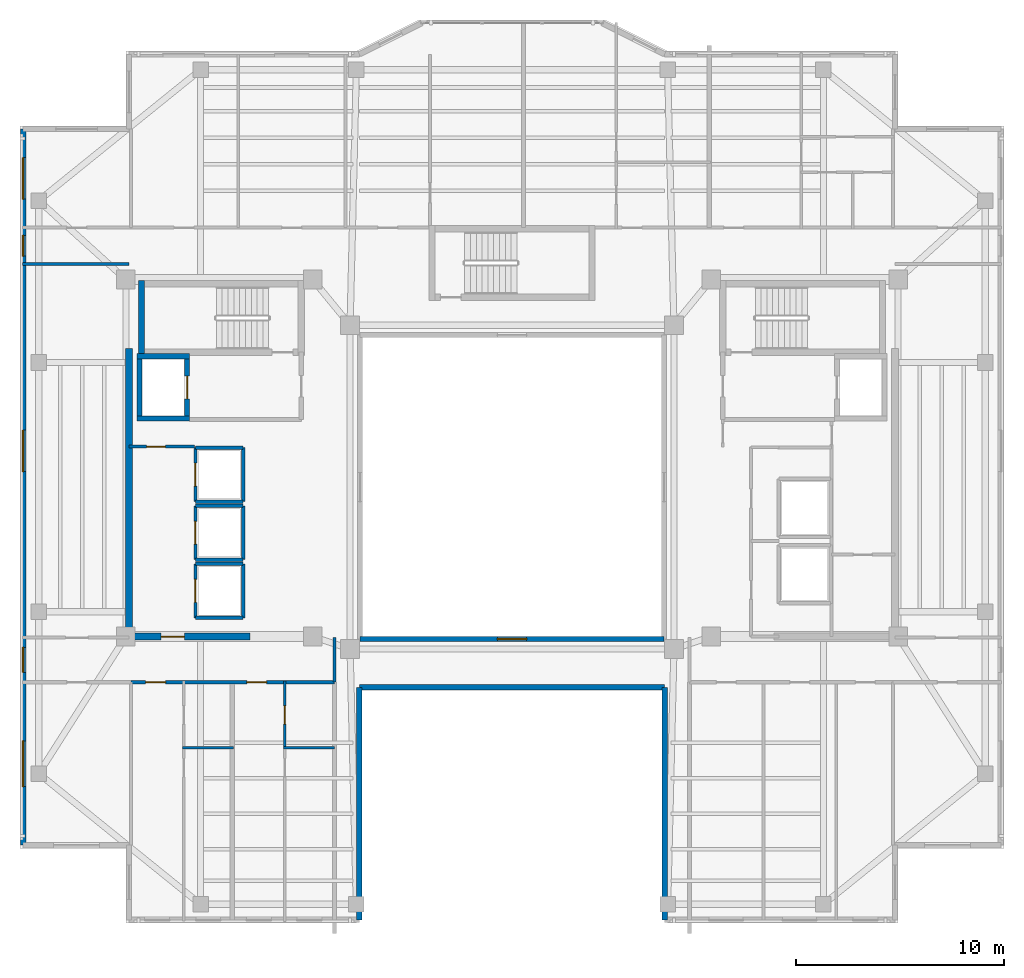
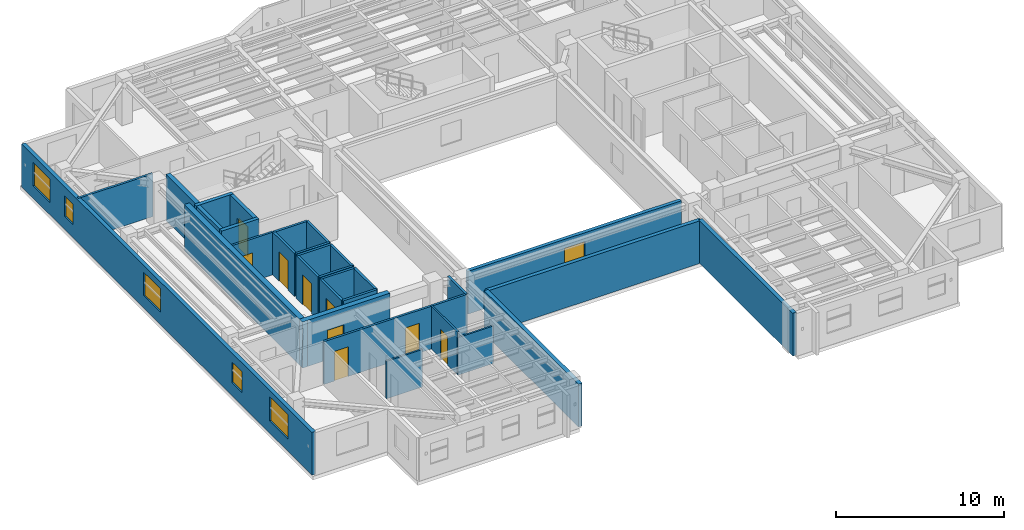
# One storey, part 4 of 11: 31 walls, 9 doors, 6 windows, 15 openings.
"""IFC4 building model written with IfcOpenShell, lengths in metres."""

from ifc_helpers import new_model, si_unit, direction, frame, frame_2d, origin, place, context, subcontext, project, spatial, rectangle, extrude, material, layer, layer_set, type_object, element, fill, save


model = new_model("IFC4")

# Units and contexts
model_context = context("Model", 3, precision=1e-05, world=origin(), true_north=direction((0.0, 1.0)))
body_context = subcontext(model_context, "Body", "Model", "MODEL_VIEW")
ifc_project = project(units=[si_unit("LENGTHUNIT", "METRE"), si_unit("AREAUNIT", "SQUARE_METRE"), si_unit("VOLUMEUNIT", "CUBIC_METRE"), si_unit("PLANEANGLEUNIT", "RADIAN"), si_unit("MASSUNIT", "GRAM", prefix="KILO")], contexts=[model_context])

# Site, building, storey
site_placement = place(None, origin())
site = spatial("IfcSite", under=ifc_project, at=site_placement, CompositionType="ELEMENT")
building_placement = place(site_placement, origin())
building = spatial("IfcBuilding", under=site, at=building_placement, Name="Tarnavaz Court Tower", CompositionType="ELEMENT")
storey_placement = place(building_placement, frame((0.0, 0.0, 217.050048828125)))
storey = spatial("IfcBuildingStorey", under=building, at=storey_placement, Name="L59", CompositionType="ELEMENT", Elevation=217.050048828125)

# Wall
ifc_material_1 = material(Name="Concrete C50/60", Category="concrete")
ifc_layer_1 = layer(ifc_material_1, 0.25)
ifc_layer_set_1 = layer_set([ifc_layer_1], Name="Concrete C50/60")
wall_type_1 = type_object("IfcWallType", Name="WL-CORE-250-C50", PredefinedType="SHEAR", material=ifc_layer_set_1)
wall_1_placement = place(storey_placement, frame((-17.949951171875, 3.175048828125, 0.0), z_axis=(0.0, 0.0, 1.0), x_axis=(0.0, 1.0, 0.0)))
element("IfcWall", 1, at=wall_1_placement, inside=storey, type_object=wall_type_1, Name="L59 Lift FL-W1 Shaft Wall 017", PredefinedType="SHEAR", context=body_context, shape_type="SweptSolid", body=[
    extrude(rectangle(XDim=3.25, YDim=0.25, at=frame_2d((1.625, 0.0))), origin(), (0.0, 0.0, 1.0), 3.349853515625),
])

# Wall, opening, door
wall_2_placement = place(storey_placement, frame((-15.64990234375, 3.175048828125, 0.0), z_axis=(0.0, 0.0, 1.0), x_axis=(0.0, 1.0, 0.0)))
wall_2 = element("IfcWall", 2, at=wall_2_placement, inside=storey, type_object=wall_type_1, Name="L59 Lift FL-W1 Shaft Wall 018", PredefinedType="SHEAR", context=body_context, shape_type="SweptSolid", body=[
    extrude(rectangle(XDim=3.25, YDim=0.25, at=frame_2d((1.625, 0.0))), origin(), (0.0, 0.0, 1.0), 3.349853515625),
])
opening_1_placement = place(wall_2_placement, frame((1.074951171875, 0.0, 0.0)))
opening_1 = element("IfcOpeningElement", 3, at=opening_1_placement, cuts=wall_2, Name="Opening LD1", PredefinedType="OPENING", context=body_context, shape_type="SweptSolid", body=[
    extrude(rectangle(XDim=1.10009765625, YDim=2.14990234375, at=frame_2d((0.550048828125, 1.074951171875))), frame((0.0, 0.135009765625, 0.0), z_axis=(0.0, -1.0, 0.0), x_axis=(1.0, 0.0, 0.0)), (0.0, 0.0, 1.0), 0.27001953125),
])
ifc_material_2 = material(Name="Stainless Steel", Category="steel")
door_type_1 = type_object("IfcDoorType", Name="DR-LD-1100", OperationType="NOTDEFINED", PredefinedType="DOOR", material=ifc_material_2)
door_1_placement = place(opening_1_placement, origin())
door_1 = element("IfcDoor", 4, at=door_1_placement, inside=storey, type_object=door_type_1, Name="L59 Lift Landing Door LD-FL-W1", OperationType="SLIDING_TO_LEFT", OverallHeight=2.14990234375, OverallWidth=1.10009765625, PredefinedType="DOOR", context=body_context, shape_type="SweptSolid", body=[
    extrude(rectangle(XDim=1.10009765625, YDim=2.14990234375, at=frame_2d((0.550048828125, 1.074951171875))), frame((0.0, 0.02490234375, 0.0), z_axis=(0.0, -1.0, 0.0), x_axis=(1.0, 0.0, 0.0)), (0.0, 0.0, 1.0), 0.050048828125),
])
fill(opening_1, door_1)

# Walls
for number, where, z_axis, x_axis, name in (
    (5, (-18.074951171875, 3.300048828125, 0.0), (0.0, 0.0, 1.0), (1.0, 0.0, 0.0), "L59 Lift FL-W1 Shaft Wall 019"),
    (6, (-18.074951171875, 6.300048828125, 0.0), (0.0, 0.0, 1.0), (1.0, 0.0, 0.0), "L59 Lift FL-W1 Shaft Wall 020"),
):
    element("IfcWall", number, at=place(storey_placement, frame(where, z_axis=z_axis, x_axis=x_axis)), inside=storey, type_object=wall_type_1, Name=name, PredefinedType="SHEAR", context=body_context, shape_type="SweptSolid", body=[
        extrude(rectangle(XDim=2.550048828125, YDim=0.25, at=frame_2d((1.27490234375, 0.0))), origin(), (0.0, 0.0, 1.0), 3.349853515625),
    ])
ifc_layer_2 = layer(ifc_material_1, 0.300048828125)
ifc_layer_set_2 = layer_set([ifc_layer_2], Name="Concrete C50/60")
wall_type_2 = type_object("IfcWallType", Name="WL-CORE-300-C50", PredefinedType="SHEAR", material=ifc_layer_set_2)
wall_3_placement = place(storey_placement, frame((-17.85009765625, 6.35009765625, 0.0), z_axis=(0.0, 0.0, 1.0), x_axis=(0.0, 1.0, 0.0)))
element("IfcWall", 7, at=wall_3_placement, inside=storey, type_object=wall_type_2, Name="L59 West Stair Core Wall 003", PredefinedType="SHEAR", context=body_context, shape_type="SweptSolid", body=[
    extrude(rectangle(XDim=3.58984375, YDim=0.300048828125, at=frame_2d((1.794921875, 0.0))), origin(), (0.0, 0.0, 1.0), 3.349853515625),
])
ifc_layer_3 = layer(ifc_material_1, 0.35009765625)
ifc_layer_set_3 = layer_set([ifc_layer_3], Name="Concrete C50/60")
wall_type_3 = type_object("IfcWallType", Name="WL-CORE-350-C50", PredefinedType="SHEAR", material=ifc_layer_set_3)
wall_4_placement = place(storey_placement, frame((-18.449951171875, -7.375, 0.0), z_axis=(0.0, 0.0, 1.0), x_axis=(0.0, 1.0, 0.0)))
element("IfcWall", 8, at=wall_4_placement, inside=storey, type_object=wall_type_3, Name="L59 West Core Shear Wall 045", PredefinedType="SHEAR", context=body_context, shape_type="SweptSolid", body=[
    extrude(rectangle(XDim=14.050048828125, YDim=0.35009765625, at=frame_2d((7.02490234375, 0.0))), origin(), (0.0, 0.0, 1.0), 3.349853515625),
])

# Wall, opening, door
wall_5_placement = place(storey_placement, frame((-18.625, -7.199951171875, 0.0), z_axis=(0.0, 0.0, 1.0), x_axis=(1.0, 0.0, 0.0)))
wall_5 = element("IfcWall", 9, at=wall_5_placement, inside=storey, type_object=wall_type_3, Name="L59 West Core South Shear Wall 046", PredefinedType="SHEAR", context=body_context, shape_type="SweptSolid", body=[
    extrude(rectangle(XDim=6.0, YDim=0.35009765625, at=frame_2d((3.0, 0.0))), origin(), (0.0, 0.0, 1.0), 3.349853515625),
])
opening_2_placement = place(wall_5_placement, frame((1.72509765625, 0.0, 0.0)))
opening_2 = element("IfcOpeningElement", 10, at=opening_2_placement, cuts=wall_5, Name="Opening D04", PredefinedType="OPENING", context=body_context, shape_type="SweptSolid", body=[
    extrude(rectangle(XDim=1.1201171875, YDim=2.14990234375, at=frame_2d((0.56005859375, 1.074951171875))), frame((0.0, 0.18505859375, 0.0), z_axis=(0.0, -1.0, 0.0), x_axis=(1.0, 0.0, 0.0)), (0.0, 0.0, 1.0), 0.3701171875),
])
ifc_material_3 = material(Name="Fire-Rated Hardwood Timber Core", Category="wood")
door_type_2 = type_object("IfcDoorType", Name="DR-FD60-1100", OperationType="NOTDEFINED", PredefinedType="DOOR", material=ifc_material_3)
door_2_placement = place(opening_2_placement, origin())
door_2 = element("IfcDoor", 11, at=door_2_placement, inside=storey, type_object=door_type_2, Name="L59 West High-Rise Lift Lobby Door", OperationType="SINGLE_SWING_LEFT", OverallHeight=2.14990234375, OverallWidth=1.1201171875, PredefinedType="DOOR", context=body_context, shape_type="SweptSolid", body=[
    extrude(rectangle(XDim=1.1201171875, YDim=2.14990234375, at=frame_2d((0.56005859375, 1.074951171875))), frame((0.0, 0.02490234375, 0.0), z_axis=(0.0, -1.0, 0.0), x_axis=(1.0, 0.0, 0.0)), (0.0, 0.0, 1.0), 0.050048828125),
])
fill(opening_2, door_2)

# Wall, openings, windows
ifc_material_4 = material(Name="Precast Concrete C40/50", Category="concrete")
ifc_layer_4 = layer(ifc_material_4, 0.260009765625)
ifc_layer_set_4 = layer_set([ifc_layer_4], Name="Precast Concrete C40/50")
wall_type_4 = type_object("IfcWallType", Name="WL-EXT-260", PredefinedType="SOLIDWALL", material=ifc_layer_set_4)
wall_6_placement = place(storey_placement, frame((-23.550048828125, -17.25, 0.0), z_axis=(0.0, 0.0, 1.0), x_axis=(0.0, 1.0, 0.0)))
wall_6 = element("IfcWall", 12, at=wall_6_placement, inside=storey, type_object=wall_type_4, Name="L59 Exterior Terracotta Facade Wall 02", PredefinedType="SOLIDWALL", context=body_context, shape_type="SweptSolid", body=[
    extrude(rectangle(XDim=34.5, YDim=0.260009765625, at=frame_2d((17.25, 0.0))), origin(), (0.0, 0.0, 1.0), 3.099853515625),
])
opening_3_placement = place(wall_6_placement, frame((2.824951171875, 0.0, 0.89990234375)))
opening_3 = element("IfcOpeningElement", 13, at=opening_3_placement, cuts=wall_6, Name="Opening W07", PredefinedType="OPENING", context=body_context, shape_type="SweptSolid", body=[
    extrude(rectangle(XDim=2.199951171875, YDim=1.75, at=frame_2d((1.10009765625, 0.875))), frame((0.0, 0.139892578125, 0.0), z_axis=(0.0, -1.0, 0.0), x_axis=(1.0, 0.0, 0.0)), (0.0, 0.0, 1.0), 0.280029296875),
])
opening_4_placement = place(wall_6_placement, frame((8.324951171875, 0.0, 0.949951171875)))
opening_4 = element("IfcOpeningElement", 14, at=opening_4_placement, cuts=wall_6, Name="Opening W05", PredefinedType="OPENING", context=body_context, shape_type="SweptSolid", body=[
    extrude(rectangle(XDim=1.199951171875, YDim=1.5, at=frame_2d((0.60009765625, 0.75))), frame((0.0, 0.139892578125, 0.0), z_axis=(0.0, -1.0, 0.0), x_axis=(1.0, 0.0, 0.0)), (0.0, 0.0, 1.0), 0.280029296875),
])
opening_5_placement = place(wall_6_placement, frame((18.0, 0.0, 0.89990234375)))
opening_5 = element("IfcOpeningElement", 15, at=opening_5_placement, cuts=wall_6, Name="Opening W08", PredefinedType="OPENING", context=body_context, shape_type="SweptSolid", body=[
    extrude(rectangle(XDim=2.0, YDim=1.699951171875, at=frame_2d((1.0, 0.85009765625))), frame((0.0, 0.139892578125, 0.0), z_axis=(0.0, -1.0, 0.0), x_axis=(1.0, 0.0, 0.0)), (0.0, 0.0, 1.0), 0.280029296875),
])
opening_6_placement = place(wall_6_placement, frame((28.375, 0.0, 0.949951171875)))
opening_6 = element("IfcOpeningElement", 16, at=opening_6_placement, cuts=wall_6, Name="Opening W14", PredefinedType="OPENING", context=body_context, shape_type="SweptSolid", body=[
    extrude(rectangle(XDim=1.0, YDim=1.5, at=frame_2d((0.5, 0.75))), frame((0.0, 0.139892578125, 0.0), z_axis=(0.0, -1.0, 0.0), x_axis=(1.0, 0.0, 0.0)), (0.0, 0.0, 1.0), 0.280029296875),
])
opening_7_placement = place(wall_6_placement, frame((31.125, 0.0, 0.89990234375)))
opening_7 = element("IfcOpeningElement", 17, at=opening_7_placement, cuts=wall_6, Name="Opening W08", PredefinedType="OPENING", context=body_context, shape_type="SweptSolid", body=[
    extrude(rectangle(XDim=2.0, YDim=1.699951171875, at=frame_2d((1.0, 0.85009765625))), frame((0.0, 0.139892578125, 0.0), z_axis=(0.0, -1.0, 0.0), x_axis=(1.0, 0.0, 0.0)), (0.0, 0.0, 1.0), 0.280029296875),
])
ifc_material_5 = material(Name="Double-Glazed Solar Low-E Glass", Category="glass")
window_type_1 = type_object("IfcWindowType", Name="WN-APT-1000", PartitioningType="SINGLE_PANEL", PredefinedType="WINDOW", material=ifc_material_5)
window_1_placement = place(opening_6_placement, origin())
window_1 = element("IfcWindow", 18, at=window_1_placement, inside=storey, type_object=window_type_1, Name="L59 North-West Corner Corridor Window", OverallHeight=1.5, OverallWidth=1.0, PartitioningType="SINGLE_PANEL", PredefinedType="WINDOW", context=body_context, shape_type="SweptSolid", body=[
    extrude(rectangle(XDim=1.0, YDim=1.5, at=frame_2d((0.5, 0.75))), frame((0.0, 0.030029296875, 0.0), z_axis=(0.0, -1.0, 0.0), x_axis=(1.0, 0.0, 0.0)), (0.0, 0.0, 1.0), 0.06005859375),
])
fill(opening_6, window_1)
window_type_2 = type_object("IfcWindowType", Name="WN-APT-1200", PartitioningType="SINGLE_PANEL", PredefinedType="WINDOW", material=ifc_material_5)
window_2_placement = place(opening_4_placement, origin())
window_2 = element("IfcWindow", 19, at=window_2_placement, inside=storey, type_object=window_type_2, Name="L59 South-West Corner Corridor Window", OverallHeight=1.5, OverallWidth=1.199951171875, PartitioningType="SINGLE_PANEL", PredefinedType="WINDOW", context=body_context, shape_type="SweptSolid", body=[
    extrude(rectangle(XDim=1.199951171875, YDim=1.5, at=frame_2d((0.60009765625, 0.75))), frame((0.0, 0.030029296875, 0.0), z_axis=(0.0, -1.0, 0.0), x_axis=(1.0, 0.0, 0.0)), (0.0, 0.0, 1.0), 0.06005859375),
])
fill(opening_4, window_2)
window_type_3 = type_object("IfcWindowType", Name="WN-APT-2000", PartitioningType="DOUBLE_PANEL_VERTICAL", PredefinedType="WINDOW", material=ifc_material_5)
window_3_placement = place(opening_5_placement, origin())
window_3 = element("IfcWindow", 20, at=window_3_placement, inside=storey, type_object=window_type_3, Name="L59 West Wing Community Meeting Lounge Window", OverallHeight=1.699951171875, OverallWidth=2.0, PartitioningType="SINGLE_PANEL", PredefinedType="WINDOW", context=body_context, shape_type="SweptSolid", body=[
    extrude(rectangle(XDim=2.0, YDim=1.699951171875, at=frame_2d((1.0, 0.85009765625))), frame((0.0, 0.030029296875, 0.0), z_axis=(0.0, -1.0, 0.0), x_axis=(1.0, 0.0, 0.0)), (0.0, 0.0, 1.0), 0.06005859375),
])
fill(opening_5, window_3)
window_4_placement = place(opening_7_placement, origin())
window_4 = element("IfcWindow", 21, at=window_4_placement, inside=storey, type_object=window_type_3, Name="L59 North-West Corner Sunroom Study Window", OverallHeight=1.699951171875, OverallWidth=2.0, PartitioningType="SINGLE_PANEL", PredefinedType="WINDOW", context=body_context, shape_type="SweptSolid", body=[
    extrude(rectangle(XDim=2.0, YDim=1.699951171875, at=frame_2d((1.0, 0.85009765625))), frame((0.0, 0.030029296875, 0.0), z_axis=(0.0, -1.0, 0.0), x_axis=(1.0, 0.0, 0.0)), (0.0, 0.0, 1.0), 0.06005859375),
])
fill(opening_7, window_4)
window_type_4 = type_object("IfcWindowType", Name="WN-APT-2200", PartitioningType="TRIPLE_PANEL_VERTICAL", PredefinedType="WINDOW", material=ifc_material_5)
window_5_placement = place(opening_3_placement, origin())
window_5 = element("IfcWindow", 22, at=window_5_placement, inside=storey, type_object=window_type_4, Name="L59 South-West Corner Reading Room Window", OverallHeight=1.75, OverallWidth=2.199951171875, PartitioningType="SINGLE_PANEL", PredefinedType="WINDOW", context=body_context, shape_type="SweptSolid", body=[
    extrude(rectangle(XDim=2.199951171875, YDim=1.75, at=frame_2d((1.10009765625, 0.875))), frame((0.0, 0.030029296875, 0.0), z_axis=(0.0, -1.0, 0.0), x_axis=(1.0, 0.0, 0.0)), (0.0, 0.0, 1.0), 0.06005859375),
])
fill(opening_3, window_5)

# Walls
wall_7_placement = place(storey_placement, frame((7.35009765625, -20.85009765625, 0.0), z_axis=(0.0, 0.0, 1.0), x_axis=(0.0, 1.0, 0.0)))
element("IfcWall", 23, at=wall_7_placement, inside=storey, type_object=wall_type_4, Name="L59 Exterior Terracotta Facade Wall 16", PredefinedType="SOLIDWALL", context=body_context, shape_type="SweptSolid", body=[
    extrude(rectangle(XDim=11.2001953125, YDim=0.260009765625, at=frame_2d((5.60009765625, 0.0))), origin(), (0.0, 0.0, 1.0), 3.099853515625),
])
wall_8_placement = place(storey_placement, frame((7.35009765625, -9.64990234375, 0.0), z_axis=(0.0, 0.0, 1.0), x_axis=(-1.0, 0.0, 0.0)))
element("IfcWall", 24, at=wall_8_placement, inside=storey, type_object=wall_type_4, Name="L59 Exterior Terracotta Facade Wall 17", PredefinedType="SOLIDWALL", context=body_context, shape_type="SweptSolid", body=[
    extrude(rectangle(XDim=14.7001953125, YDim=0.260009765625, at=frame_2d((7.35009765625, 0.0))), origin(), (0.0, 0.0, 1.0), 3.099853515625),
])
wall_9_placement = place(storey_placement, frame((-7.35009765625, -9.64990234375, 0.0), z_axis=(0.0, 0.0, 1.0), x_axis=(0.0, -1.0, 0.0)))
element("IfcWall", 25, at=wall_9_placement, inside=storey, type_object=wall_type_4, Name="L59 Exterior Terracotta Facade Wall 18", PredefinedType="SOLIDWALL", context=body_context, shape_type="SweptSolid", body=[
    extrude(rectangle(XDim=11.2001953125, YDim=0.260009765625, at=frame_2d((5.60009765625, 0.0))), origin(), (0.0, 0.0, 1.0), 3.099853515625),
])

# Wall, openings, doors
ifc_material_6 = material(Name="Gypsum Fire-Board on Acoustic Metal Stud", Category="masonry")
ifc_layer_5 = layer(ifc_material_6, 0.14990234375)
ifc_layer_set_5 = layer_set([ifc_layer_5], Name="Gypsum Fire-Board on Acoustic Metal Stud")
wall_type_5 = type_object("IfcWallType", Name="WL-FIRE-150", PredefinedType="PARTITIONING", material=ifc_layer_set_5)
wall_10_placement = place(storey_placement, frame((-18.35009765625, -9.39990234375, 0.0), z_axis=(0.0, 0.0, 1.0), x_axis=(1.0, 0.0, 0.0)))
wall_10 = element("IfcWall", 26, at=wall_10_placement, inside=storey, type_object=wall_type_5, Name="L59 SW Lobby Wall 060", PredefinedType="PARTITIONING", context=body_context, shape_type="SweptSolid", body=[
    extrude(rectangle(XDim=9.800048828125, YDim=0.14990234375, at=frame_2d((4.89990234375, 0.0))), origin(), (0.0, 0.0, 1.0), 3.099853515625),
])
opening_8_placement = place(wall_10_placement, frame((0.699951171875, 0.0, 0.0)))
opening_8 = element("IfcOpeningElement", 27, at=opening_8_placement, cuts=wall_10, Name="Opening D06", PredefinedType="OPENING", context=body_context, shape_type="SweptSolid", body=[
    extrude(rectangle(XDim=0.9599609375, YDim=2.14990234375, at=frame_2d((0.47998046875, 1.074951171875))), frame((0.0, 0.0849609375, 0.0), z_axis=(0.0, -1.0, 0.0), x_axis=(1.0, 0.0, 0.0)), (0.0, 0.0, 1.0), 0.169921875),
])
opening_9_placement = place(wall_10_placement, frame((5.574951171875, 0.0, 0.0)))
opening_9 = element("IfcOpeningElement", 28, at=opening_9_placement, cuts=wall_10, Name="Opening D06", PredefinedType="OPENING", context=body_context, shape_type="SweptSolid", body=[
    extrude(rectangle(XDim=0.9599609375, YDim=2.14990234375, at=frame_2d((0.47998046875, 1.074951171875))), frame((0.0, 0.0849609375, 0.0), z_axis=(0.0, -1.0, 0.0), x_axis=(1.0, 0.0, 0.0)), (0.0, 0.0, 1.0), 0.169921875),
])
door_type_3 = type_object("IfcDoorType", Name="DR-FD60-950", OperationType="NOTDEFINED", PredefinedType="DOOR", material=ifc_material_3)
door_3_placement = place(opening_8_placement, origin())
door_3 = element("IfcDoor", 29, at=door_3_placement, inside=storey, type_object=door_type_3, Name="L59 Flat 03 Entrance Door", OperationType="SINGLE_SWING_RIGHT", OverallHeight=2.14990234375, OverallWidth=0.9599609375, PredefinedType="DOOR", context=body_context, shape_type="SweptSolid", body=[
    extrude(rectangle(XDim=0.9599609375, YDim=2.14990234375, at=frame_2d((0.47998046875, 1.074951171875))), frame((0.0, 0.02490234375, 0.0), z_axis=(0.0, -1.0, 0.0), x_axis=(1.0, 0.0, 0.0)), (0.0, 0.0, 1.0), 0.050048828125),
])
fill(opening_8, door_3)
door_4_placement = place(opening_9_placement, origin())
door_4 = element("IfcDoor", 30, at=door_4_placement, inside=storey, type_object=door_type_3, Name="L59 Flat 04 Entrance Door", OperationType="SINGLE_SWING_LEFT", OverallHeight=2.14990234375, OverallWidth=0.9599609375, PredefinedType="DOOR", context=body_context, shape_type="SweptSolid", body=[
    extrude(rectangle(XDim=0.9599609375, YDim=2.14990234375, at=frame_2d((0.47998046875, 1.074951171875))), frame((0.0, 0.02490234375, 0.0), z_axis=(0.0, -1.0, 0.0), x_axis=(1.0, 0.0, 0.0)), (0.0, 0.0, 1.0), 0.050048828125),
])
fill(opening_9, door_4)

# Walls
wall_11_placement = place(storey_placement, frame((-8.550048828125, -9.39990234375, 0.0), z_axis=(0.0, 0.0, 1.0), x_axis=(0.0, 1.0, 0.0)))
element("IfcWall", 31, at=wall_11_placement, inside=storey, type_object=wall_type_5, Name="L59 West Spine End Wall 062", PredefinedType="PARTITIONING", context=body_context, shape_type="SweptSolid", body=[
    extrude(rectangle(XDim=2.14990234375, YDim=0.14990234375, at=frame_2d((1.074951171875, 0.0))), origin(), (0.0, 0.0, 1.0), 3.099853515625),
])
wall_12_placement = place(storey_placement, frame((-23.580078125, 10.75, 0.0), z_axis=(0.0, 0.0, 1.0), x_axis=(1.0, 0.0, 0.0)))
element("IfcWall", 32, at=wall_12_placement, inside=storey, type_object=wall_type_5, Name="L59 Interior Partition 089", PredefinedType="PARTITIONING", context=body_context, shape_type="SweptSolid", body=[
    extrude(rectangle(XDim=5.130126953125, YDim=0.14990234375, at=frame_2d((2.56494140625, 0.0))), origin(), (0.0, 0.0, 1.0), 3.099853515625),
])
ifc_material_7 = material(Name="Moisture-Resistant Gypsum Board Partition", Category="masonry")
ifc_layer_6 = layer(ifc_material_7, 0.1201171875)
ifc_layer_set_6 = layer_set([ifc_layer_6], Name="Moisture-Resistant Gypsum Board Partition")
wall_type_6 = type_object("IfcWallType", Name="WL-PART-120", PredefinedType="PARTITIONING", material=ifc_layer_set_6)
wall_13_placement = place(storey_placement, frame((-15.876953125, -12.56005859375, 0.0), z_axis=(0.0, 0.0, 1.0), x_axis=(1.0, 0.0, 0.0)))
element("IfcWall", 33, at=wall_13_placement, inside=storey, type_object=wall_type_6, Name="L59 Interior Partition 080", PredefinedType="PARTITIONING", context=body_context, shape_type="SweptSolid", body=[
    extrude(rectangle(XDim=2.4619140625, YDim=0.1201171875, at=frame_2d((1.23095703125, 0.0))), origin(), (0.0, 0.0, 1.0), 2.724853515625),
])

# Wall, opening, door
wall_14_placement = place(storey_placement, frame((-10.94189453125, -12.56005859375, 0.0), z_axis=(0.0, 0.0, 1.0), x_axis=(0.0, 1.0, 0.0)))
wall_14 = element("IfcWall", 34, at=wall_14_placement, inside=storey, type_object=wall_type_6, Name="L59 Interior Partition 082", PredefinedType="PARTITIONING", context=body_context, shape_type="SweptSolid", body=[
    extrude(rectangle(XDim=3.219970703125, YDim=0.1201171875, at=frame_2d((1.60986328125, 0.0))), origin(), (0.0, 0.0, 1.0), 3.099853515625),
])
opening_10_placement = place(wall_14_placement, frame((1.139892578125, 0.0, 0.0)))
opening_10 = element("IfcOpeningElement", 35, at=opening_10_placement, cuts=wall_14, Name="Opening D14", PredefinedType="OPENING", context=body_context, shape_type="SweptSolid", body=[
    extrude(rectangle(XDim=0.8798828125, YDim=2.10009765625, at=frame_2d((0.43994140625, 1.050048828125))), frame((0.0, 0.070068359375, 0.0), z_axis=(0.0, -1.0, 0.0), x_axis=(1.0, 0.0, 0.0)), (0.0, 0.0, 1.0), 0.14013671875),
])
ifc_material_8 = material(Name="Engineered Oak Timber", Category="wood")
door_type_4 = type_object("IfcDoorType", Name="DR-INT-900", OperationType="NOTDEFINED", PredefinedType="DOOR", material=ifc_material_8)
door_5_placement = place(opening_10_placement, origin())
door_5 = element("IfcDoor", 36, at=door_5_placement, inside=storey, type_object=door_type_4, Name="L59 Flat 04 Bathroom Door", OperationType="SINGLE_SWING_LEFT", OverallHeight=2.10009765625, OverallWidth=0.8798828125, PredefinedType="DOOR", context=body_context, shape_type="SweptSolid", body=[
    extrude(rectangle(XDim=0.8798828125, YDim=2.10009765625, at=frame_2d((0.43994140625, 1.050048828125))), frame((0.0, 0.02490234375, 0.0), z_axis=(0.0, -1.0, 0.0), x_axis=(1.0, 0.0, 0.0)), (0.0, 0.0, 1.0), 0.050048828125),
])
fill(opening_10, door_5)

# Wall
wall_15_placement = place(storey_placement, frame((-11.001953125, -12.56005859375, 0.0), z_axis=(0.0, 0.0, 1.0), x_axis=(1.0, 0.0, 0.0)))
element("IfcWall", 37, at=wall_15_placement, inside=storey, type_object=wall_type_6, Name="L59 Interior Partition 083", PredefinedType="PARTITIONING", context=body_context, shape_type="SweptSolid", body=[
    extrude(rectangle(XDim=2.4619140625, YDim=0.1201171875, at=frame_2d((1.23095703125, 0.0))), origin(), (0.0, 0.0, 1.0), 2.724853515625),
])

# Wall, opening, door
ifc_material_9 = material(Name="Gypsum Plasterboard Acoustic Partition", Category="masonry")
ifc_layer_7 = layer(ifc_material_9, 0.139892578125)
ifc_layer_set_7 = layer_set([ifc_layer_7], Name="Gypsum Plasterboard Acoustic Partition")
wall_type_7 = type_object("IfcWallType", Name="WL-PART-150", PredefinedType="PARTITIONING", material=ifc_layer_set_7)
wall_16_placement = place(storey_placement, frame((-18.449951171875, 1.949951171875, 0.0), z_axis=(0.0, 0.0, 1.0), x_axis=(1.0, 0.0, 0.0)))
wall_16 = element("IfcWall", 38, at=wall_16_placement, inside=storey, type_object=wall_type_7, Name="L59 Interior Partition 049", PredefinedType="PARTITIONING", context=body_context, shape_type="SweptSolid", body=[
    extrude(rectangle(XDim=3.14990234375, YDim=0.139892578125, at=frame_2d((1.574951171875, 0.0))), origin(), (0.0, 0.0, 1.0), 3.099853515625),
])
opening_11_placement = place(wall_16_placement, frame((0.85009765625, 0.0, 0.0)))
opening_11 = element("IfcOpeningElement", 39, at=opening_11_placement, cuts=wall_16, Name="Opening D09", PredefinedType="OPENING", context=body_context, shape_type="SweptSolid", body=[
    extrude(rectangle(XDim=0.89990234375, YDim=2.080078125, at=frame_2d((0.449951171875, 1.0400390625))), frame((0.0, 0.079833984375, 0.0), z_axis=(0.0, -1.0, 0.0), x_axis=(1.0, 0.0, 0.0)), (0.0, 0.0, 1.0), 0.159912109375),
])
door_type_5 = type_object("IfcDoorType", Name="DR-FD30-900", OperationType="NOTDEFINED", PredefinedType="DOOR", material=ifc_material_3)
door_6_placement = place(opening_11_placement, origin())
door_6 = element("IfcDoor", 40, at=door_6_placement, inside=storey, type_object=door_type_5, Name="L59 West Core Electrical Room Door", OperationType="SINGLE_SWING_RIGHT", OverallHeight=2.080078125, OverallWidth=0.89990234375, PredefinedType="DOOR", context=body_context, shape_type="SweptSolid", body=[
    extrude(rectangle(XDim=0.89990234375, YDim=2.080078125, at=frame_2d((0.449951171875, 1.0400390625))), frame((0.0, 0.02490234375, 0.0), z_axis=(0.0, -1.0, 0.0), x_axis=(1.0, 0.0, 0.0)), (0.0, 0.0, 1.0), 0.050048828125),
])
fill(opening_11, door_6)

ifc_material_10 = material(Name="Autoclaved Aerated Concrete Blockwork", Category="masonry")
ifc_layer_8 = layer(ifc_material_10, 0.159912109375)
ifc_layer_set_8 = layer_set([ifc_layer_8], Name="Autoclaved Aerated Concrete Blockwork")
wall_type_8 = type_object("IfcWallType", Name="WL-SHAFT-150", PredefinedType="SOLIDWALL", material=ifc_layer_set_8)
wall_17_placement = place(storey_placement, frame((-15.25, -6.300048828125, 0.0), z_axis=(0.0, 0.0, 1.0), x_axis=(0.0, 1.0, 0.0)))
wall_17 = element("IfcWall", 41, at=wall_17_placement, inside=storey, type_object=wall_type_8, Name="L59 Lift PL-H1 Shaft Wall 021", PredefinedType="SOLIDWALL", context=body_context, shape_type="SweptSolid", body=[
    extrude(rectangle(XDim=2.60009765625, YDim=0.159912109375, at=frame_2d((1.300048828125, 0.0))), origin(), (0.0, 0.0, 1.0), 3.099853515625),
])
opening_12_placement = place(wall_17_placement, frame((0.75, 0.0, 0.0)))
opening_12 = element("IfcOpeningElement", 42, at=opening_12_placement, cuts=wall_17, Name="Opening LD1", PredefinedType="OPENING", context=body_context, shape_type="SweptSolid", body=[
    extrude(rectangle(XDim=1.10009765625, YDim=2.14990234375, at=frame_2d((0.550048828125, 1.074951171875))), frame((0.0, 0.08984375, 0.0), z_axis=(0.0, -1.0, 0.0), x_axis=(1.0, 0.0, 0.0)), (0.0, 0.0, 1.0), 0.179931640625),
])
door_7_placement = place(opening_12_placement, origin())
door_7 = element("IfcDoor", 43, at=door_7_placement, inside=storey, type_object=door_type_1, Name="L59 Lift Landing Door LD-PL-H1", OperationType="SLIDING_TO_LEFT", OverallHeight=2.14990234375, OverallWidth=1.10009765625, PredefinedType="DOOR", context=body_context, shape_type="SweptSolid", body=[
    extrude(rectangle(XDim=1.10009765625, YDim=2.14990234375, at=frame_2d((0.550048828125, 1.074951171875))), frame((0.0, 0.02490234375, 0.0), z_axis=(0.0, -1.0, 0.0), x_axis=(1.0, 0.0, 0.0)), (0.0, 0.0, 1.0), 0.050048828125),
])
fill(opening_12, door_7)

# Walls
wall_18_placement = place(storey_placement, frame((-12.949951171875, -6.300048828125, 0.0), z_axis=(0.0, 0.0, 1.0), x_axis=(0.0, 1.0, 0.0)))
element("IfcWall", 44, at=wall_18_placement, inside=storey, type_object=wall_type_8, Name="L59 Lift PL-H1 Shaft Wall 022", PredefinedType="SOLIDWALL", context=body_context, shape_type="SweptSolid", body=[
    extrude(rectangle(XDim=2.60009765625, YDim=0.159912109375, at=frame_2d((1.300048828125, 0.0))), origin(), (0.0, 0.0, 1.0), 3.099853515625),
])
for number, where, z_axis, x_axis, name in (
    (45, (-15.25, -6.300048828125, 0.0), (0.0, 0.0, 1.0), (1.0, 0.0, 0.0), "L59 Lift PL-H1 Shaft Wall 023"),
    (46, (-15.25, -3.699951171875, 0.0), (0.0, 0.0, 1.0), (1.0, 0.0, 0.0), "L59 Lift PL-H1 Shaft Wall 024"),
):
    element("IfcWall", number, at=place(storey_placement, frame(where, z_axis=z_axis, x_axis=x_axis)), inside=storey, type_object=wall_type_8, Name=name, PredefinedType="SOLIDWALL", context=body_context, shape_type="SweptSolid", body=[
        extrude(rectangle(XDim=2.300048828125, YDim=0.159912109375, at=frame_2d((1.14990234375, 0.0))), origin(), (0.0, 0.0, 1.0), 3.099853515625),
    ])

# Wall, opening, door
wall_19_placement = place(storey_placement, frame((-15.25, -3.5, 0.0), z_axis=(0.0, 0.0, 1.0), x_axis=(0.0, 1.0, 0.0)))
wall_19 = element("IfcWall", 47, at=wall_19_placement, inside=storey, type_object=wall_type_8, Name="L59 Lift PL-H2 Shaft Wall 025", PredefinedType="SOLIDWALL", context=body_context, shape_type="SweptSolid", body=[
    extrude(rectangle(XDim=2.60009765625, YDim=0.159912109375, at=frame_2d((1.300048828125, 0.0))), origin(), (0.0, 0.0, 1.0), 3.099853515625),
])
opening_13_placement = place(wall_19_placement, frame((0.75, 0.0, 0.0)))
opening_13 = element("IfcOpeningElement", 48, at=opening_13_placement, cuts=wall_19, Name="Opening LD1", PredefinedType="OPENING", context=body_context, shape_type="SweptSolid", body=[
    extrude(rectangle(XDim=1.10009765625, YDim=2.14990234375, at=frame_2d((0.550048828125, 1.074951171875))), frame((0.0, 0.08984375, 0.0), z_axis=(0.0, -1.0, 0.0), x_axis=(1.0, 0.0, 0.0)), (0.0, 0.0, 1.0), 0.179931640625),
])
door_8_placement = place(opening_13_placement, origin())
door_8 = element("IfcDoor", 49, at=door_8_placement, inside=storey, type_object=door_type_1, Name="L59 Lift Landing Door LD-PL-H2", OperationType="SLIDING_TO_LEFT", OverallHeight=2.14990234375, OverallWidth=1.10009765625, PredefinedType="DOOR", context=body_context, shape_type="SweptSolid", body=[
    extrude(rectangle(XDim=1.10009765625, YDim=2.14990234375, at=frame_2d((0.550048828125, 1.074951171875))), frame((0.0, 0.02490234375, 0.0), z_axis=(0.0, -1.0, 0.0), x_axis=(1.0, 0.0, 0.0)), (0.0, 0.0, 1.0), 0.050048828125),
])
fill(opening_13, door_8)

# Walls
wall_20_placement = place(storey_placement, frame((-12.949951171875, -3.5, 0.0), z_axis=(0.0, 0.0, 1.0), x_axis=(0.0, 1.0, 0.0)))
element("IfcWall", 50, at=wall_20_placement, inside=storey, type_object=wall_type_8, Name="L59 Lift PL-H2 Shaft Wall 026", PredefinedType="SOLIDWALL", context=body_context, shape_type="SweptSolid", body=[
    extrude(rectangle(XDim=2.60009765625, YDim=0.159912109375, at=frame_2d((1.300048828125, 0.0))), origin(), (0.0, 0.0, 1.0), 3.099853515625),
])
for number, where, z_axis, x_axis, name in (
    (51, (-15.25, -3.5, 0.0), (0.0, 0.0, 1.0), (1.0, 0.0, 0.0), "L59 Lift PL-H2 Shaft Wall 027"),
    (52, (-15.25, -0.89990234375, 0.0), (0.0, 0.0, 1.0), (1.0, 0.0, 0.0), "L59 Lift PL-H2 Shaft Wall 028"),
):
    element("IfcWall", number, at=place(storey_placement, frame(where, z_axis=z_axis, x_axis=x_axis)), inside=storey, type_object=wall_type_8, Name=name, PredefinedType="SOLIDWALL", context=body_context, shape_type="SweptSolid", body=[
        extrude(rectangle(XDim=2.300048828125, YDim=0.159912109375, at=frame_2d((1.14990234375, 0.0))), origin(), (0.0, 0.0, 1.0), 3.099853515625),
    ])

# Wall, opening, door
wall_21_placement = place(storey_placement, frame((-15.25, -0.699951171875, 0.0), z_axis=(0.0, 0.0, 1.0), x_axis=(0.0, 1.0, 0.0)))
wall_21 = element("IfcWall", 53, at=wall_21_placement, inside=storey, type_object=wall_type_8, Name="L59 Lift PL-H3 Shaft Wall 029", PredefinedType="SOLIDWALL", context=body_context, shape_type="SweptSolid", body=[
    extrude(rectangle(XDim=2.599853515625, YDim=0.159912109375, at=frame_2d((1.2998046875, 0.0))), origin(), (0.0, 0.0, 1.0), 3.099853515625),
])
opening_14_placement = place(wall_21_placement, frame((0.75, 0.0, 0.0)))
opening_14 = element("IfcOpeningElement", 54, at=opening_14_placement, cuts=wall_21, Name="Opening LD1", PredefinedType="OPENING", context=body_context, shape_type="SweptSolid", body=[
    extrude(rectangle(XDim=1.10009765625, YDim=2.14990234375, at=frame_2d((0.550048828125, 1.074951171875))), frame((0.0, 0.08984375, 0.0), z_axis=(0.0, -1.0, 0.0), x_axis=(1.0, 0.0, 0.0)), (0.0, 0.0, 1.0), 0.179931640625),
])
door_9_placement = place(opening_14_placement, origin())
door_9 = element("IfcDoor", 55, at=door_9_placement, inside=storey, type_object=door_type_1, Name="L59 Lift Landing Door LD-PL-H3", OperationType="SLIDING_TO_LEFT", OverallHeight=2.14990234375, OverallWidth=1.10009765625, PredefinedType="DOOR", context=body_context, shape_type="SweptSolid", body=[
    extrude(rectangle(XDim=1.10009765625, YDim=2.14990234375, at=frame_2d((0.550048828125, 1.074951171875))), frame((0.0, 0.02490234375, 0.0), z_axis=(0.0, -1.0, 0.0), x_axis=(1.0, 0.0, 0.0)), (0.0, 0.0, 1.0), 0.050048828125),
])
fill(opening_14, door_9)

# Walls
wall_22_placement = place(storey_placement, frame((-12.949951171875, -0.699951171875, 0.0), z_axis=(0.0, 0.0, 1.0), x_axis=(0.0, 1.0, 0.0)))
element("IfcWall", 56, at=wall_22_placement, inside=storey, type_object=wall_type_8, Name="L59 Lift PL-H3 Shaft Wall 030", PredefinedType="SOLIDWALL", context=body_context, shape_type="SweptSolid", body=[
    extrude(rectangle(XDim=2.599853515625, YDim=0.159912109375, at=frame_2d((1.2998046875, 0.0))), origin(), (0.0, 0.0, 1.0), 3.099853515625),
])
for number, where, z_axis, x_axis, name in (
    (57, (-15.25, -0.699951171875, 0.0), (0.0, 0.0, 1.0), (1.0, 0.0, 0.0), "L59 Lift PL-H3 Shaft Wall 031"),
    (58, (-15.25, 1.89990234375, 0.0), (0.0, 0.0, 1.0), (1.0, 0.0, 0.0), "L59 Lift PL-H3 Shaft Wall 032"),
):
    element("IfcWall", number, at=place(storey_placement, frame(where, z_axis=z_axis, x_axis=x_axis)), inside=storey, type_object=wall_type_8, Name=name, PredefinedType="SOLIDWALL", context=body_context, shape_type="SweptSolid", body=[
        extrude(rectangle(XDim=2.300048828125, YDim=0.159912109375, at=frame_2d((1.14990234375, 0.0))), origin(), (0.0, 0.0, 1.0), 3.099853515625),
    ])

# Wall, opening, window
ifc_layer_9 = layer(ifc_material_4, 0.239990234375)
ifc_layer_set_9 = layer_set([ifc_layer_9], Name="Precast Concrete C40/50")
wall_type_9 = type_object("IfcWallType", Name="WL-WELL-240", PredefinedType="SOLIDWALL", material=ifc_layer_set_9)
wall_23_placement = place(storey_placement, frame((-7.320068359375, -7.320068359375, 0.0), z_axis=(0.0, 0.0, 1.0), x_axis=(1.0, 0.0, 0.0)))
wall_23 = element("IfcWall", 59, at=wall_23_placement, inside=storey, type_object=wall_type_9, Name="L59 Badgir Light-Well Exterior Wall S", PredefinedType="SOLIDWALL", context=body_context, shape_type="SweptSolid", body=[
    extrude(rectangle(XDim=14.64013671875, YDim=0.239990234375, at=frame_2d((7.320068359375, 0.0))), origin(), (0.0, 0.0, 1.0), 3.099853515625),
])
opening_15_placement = place(wall_23_placement, frame((6.6201171875, 0.0, 0.949951171875)))
opening_15 = element("IfcOpeningElement", 60, at=opening_15_placement, cuts=wall_23, Name="Opening W13", PredefinedType="OPENING", context=body_context, shape_type="SweptSolid", body=[
    extrude(rectangle(XDim=1.39990234375, YDim=1.5, at=frame_2d((0.699951171875, 0.75))), frame((0.0, 0.1298828125, 0.0), z_axis=(0.0, -1.0, 0.0), x_axis=(1.0, 0.0, 0.0)), (0.0, 0.0, 1.0), 0.260009765625),
])
window_type_5 = type_object("IfcWindowType", Name="WN-WEL-1400", PartitioningType="SINGLE_PANEL", PredefinedType="WINDOW", material=ifc_material_5)
window_6_placement = place(opening_15_placement, origin())
window_6 = element("IfcWindow", 61, at=window_6_placement, inside=storey, type_object=window_type_5, Name="L59 Courtyard Gallery Window S", OverallHeight=1.5, OverallWidth=1.39990234375, PartitioningType="SINGLE_PANEL", PredefinedType="WINDOW", context=body_context, shape_type="SweptSolid", body=[
    extrude(rectangle(XDim=1.39990234375, YDim=1.5, at=frame_2d((0.699951171875, 0.75))), frame((0.0, 0.030029296875, 0.0), z_axis=(0.0, -1.0, 0.0), x_axis=(1.0, 0.0, 0.0)), (0.0, 0.0, 1.0), 0.06005859375),
])
fill(opening_15, window_6)

save(model, "model.ifc")
